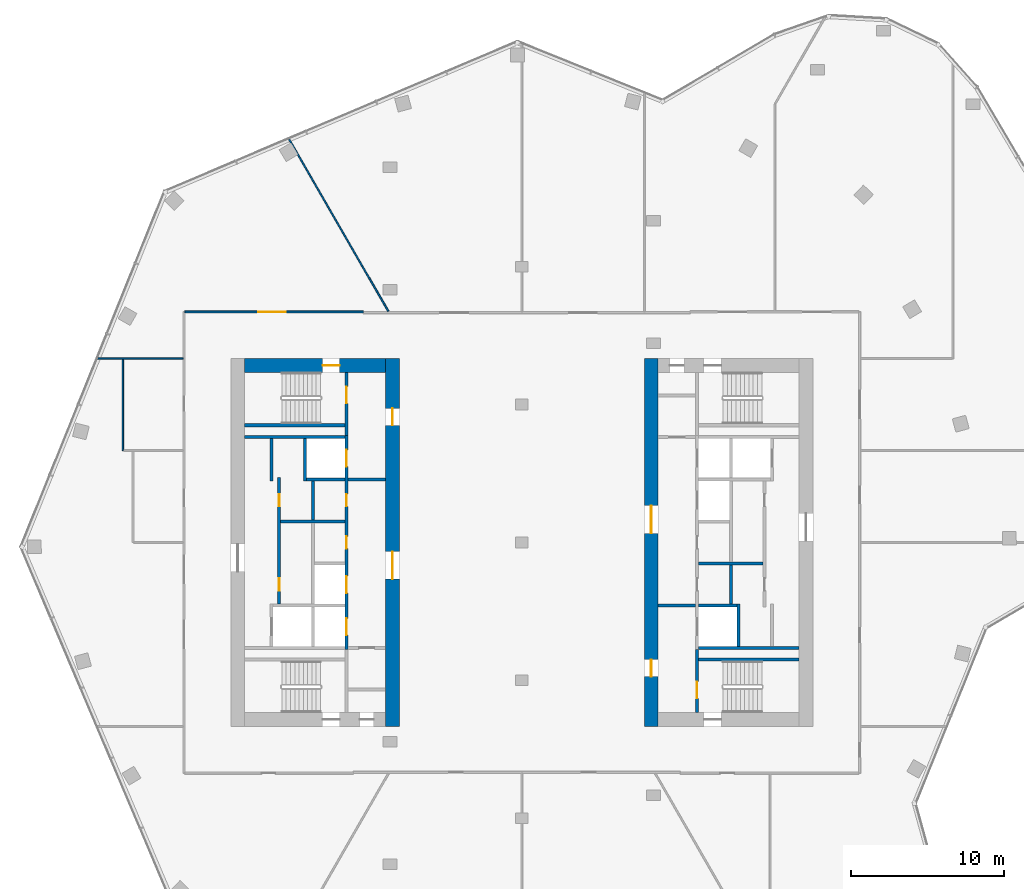
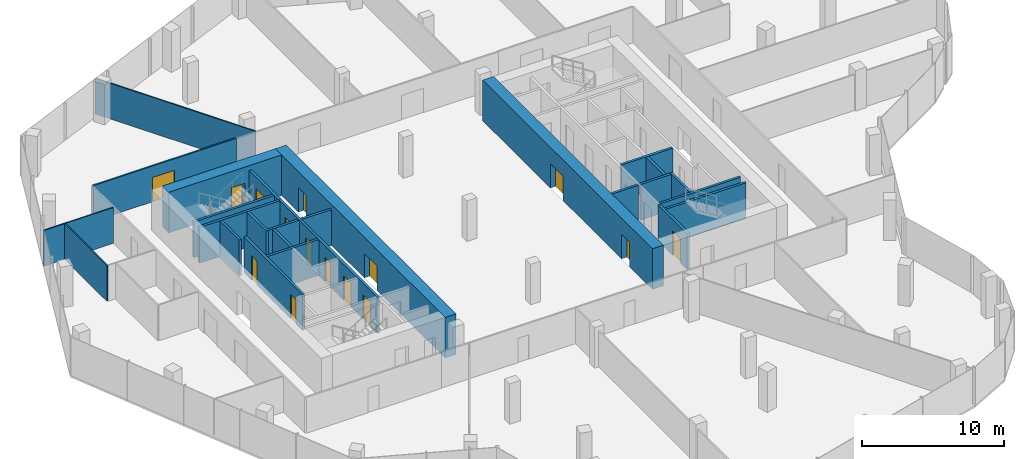
# One storey, part 13 of 16: 26 walls, 15 doors, 15 openings.
"""IFC4 building model written with IfcOpenShell, lengths in metres."""

import ifcopenshell
import ifcopenshell.guid

model = None  # the IFC model being written
_history = None  # IfcOwnerHistory: only IFC2X3 demands one
_inside = {}  # id of a spatial element -> (the spatial element, [elements in it])
_under = {}  # id of a project, library or spatial element -> (it, [spatial elements below it])
_declared = {}  # id of a project -> (the project, [libraries it declares])
_typed = {}  # id of a type object -> (the type object, [elements of that type])
_made_of = {}  # id of a material, layer set ... -> (it, [elements and type objects made of it])


def new_model(schema):
    """Start an empty IFC model of exactly this schema.

    Asked for "IFC4X3", IfcOpenShell would pick the latest addendum, in which some entities
    have other attributes; the version numbers below select the first issue.
    IFC2X3 requires an IfcOwnerHistory on every rooted entity: one is made here for all.
    """
    global model, _history
    if schema == "IFC4X3":
        model = ifcopenshell.file(schema_version=(4, 3, 0, 0))
    else:
        model = ifcopenshell.file(schema=schema)
    _inside.clear()
    _under.clear()
    _declared.clear()
    _typed.clear()
    _made_of.clear()
    _history = None
    if model.schema == "IFC2X3":
        org = make("IfcOrganization", Name="unknown")
        user = make(
            "IfcPersonAndOrganization",
            ThePerson=make("IfcPerson", FamilyName="unknown"),
            TheOrganization=org,
        )
        app = make(
            "IfcApplication",
            ApplicationDeveloper=org,
            Version="unknown",
            ApplicationFullName="unknown",
            ApplicationIdentifier="unknown",
        )
        _history = make(
            "IfcOwnerHistory",
            OwningUser=user,
            OwningApplication=app,
            ChangeAction="ADDED",
            CreationDate=0,
        )
    return model


def make(cls, **values):
    """One entity of the class cls with the attributes given. An attribute that is None is left unset."""
    return model.create_entity(
        cls, **{name: value for name, value in values.items() if value is not None}
    )


def rooted(cls, **values):
    """An entity with a GlobalId (a new one), such as an element, a storey or a relation."""
    return make(cls, GlobalId=ifcopenshell.guid.new(), OwnerHistory=_history, **values)


def si_unit(unit_type, name, prefix=None):
    """IfcSIUnit, for example si_unit("LENGTHUNIT", "METRE", prefix="MILLI")."""
    return make("IfcSIUnit", UnitType=unit_type, Prefix=prefix, Name=name)


def assignment(units):
    """IfcUnitAssignment: the units of a project."""
    return None if units is None else make("IfcUnitAssignment", Units=units)


def point(xyz):
    """IfcCartesianPoint."""
    return None if xyz is None else make("IfcCartesianPoint", Coordinates=xyz)


def direction(xyz):
    """IfcDirection."""
    return None if xyz is None else make("IfcDirection", DirectionRatios=xyz)


def frame(location, z_axis=None, x_axis=None):
    """IfcAxis2Placement3D, a coordinate frame: its origin and axes. An axis left out is left unset."""
    return make(
        "IfcAxis2Placement3D",
        Location=point(location),
        Axis=direction(z_axis),
        RefDirection=direction(x_axis),
    )


def frame_2d(location, x_axis=None):
    """IfcAxis2Placement2D, a coordinate frame in the plane: its origin and x axis."""
    return make(
        "IfcAxis2Placement2D", Location=point(location), RefDirection=direction(x_axis)
    )


def origin():
    """The frame at (0, 0, 0) with its axes left unset."""
    return frame((0.0, 0.0, 0.0))


def place(relative_to, where):
    """IfcLocalPlacement: puts the frame where relative to a parent placement (None: the world)."""
    return make(
        "IfcLocalPlacement", PlacementRelTo=relative_to, RelativePlacement=where
    )


def context(
    kind, dimensions, precision=None, world=None, true_north=None, identifier=None
):
    """IfcGeometricRepresentationContext, for example the 3D "Model" context."""
    return make(
        "IfcGeometricRepresentationContext",
        ContextIdentifier=identifier,
        ContextType=kind,
        CoordinateSpaceDimension=dimensions,
        Precision=precision,
        WorldCoordinateSystem=world,
        TrueNorth=true_north,
    )


def subcontext(parent, identifier, kind, view, scale=None):
    """IfcGeometricRepresentationSubContext, for example "Body" below "Model"."""
    return make(
        "IfcGeometricRepresentationSubContext",
        ContextIdentifier=identifier,
        ContextType=kind,
        ParentContext=parent,
        TargetScale=scale,
        TargetView=view,
    )


def project(units=None, contexts=None):
    """IfcProject with its units and contexts."""
    return rooted(
        "IfcProject",
        Name="project",
        RepresentationContexts=contexts,
        UnitsInContext=assignment(units),
    )


def spatial(cls, under=None, at=None, **own):
    """A site, building, storey or space (cls), placed at a placement, below another one or the project."""
    s = rooted(cls, ObjectPlacement=at, **own)
    if under is not None:
        _under.setdefault(under.id(), (under, []))[1].append(s)
    return s


def profile(cls, at=None, kind="AREA", **sizes):
    """A parametric profile (cls). Its sizes go by their IFC names, for example OverallWidth=200.0."""
    return make(cls, ProfileType=kind, Position=at, **sizes)


def rectangle(**sizes):
    """IfcRectangleProfileDef."""
    return profile("IfcRectangleProfileDef", **sizes)


def extrude(swept, where, along, depth):
    """IfcExtrudedAreaSolid: the profile swept, set in the frame where, extruded along a direction by depth."""
    return make(
        "IfcExtrudedAreaSolid",
        SweptArea=swept,
        Position=where,
        ExtrudedDirection=direction(along),
        Depth=depth,
    )


def shape(context_of_items, identifier, shape_type, items):
    """IfcShapeRepresentation: the items that make up one representation, for example the "Body"."""
    return make(
        "IfcShapeRepresentation",
        ContextOfItems=context_of_items,
        RepresentationIdentifier=identifier,
        RepresentationType=shape_type,
        Items=items,
    )


def material(Name=None, Category=None):
    """IfcMaterial."""
    return make("IfcMaterial", Name=Name, Category=Category)


def layer(
    of_material, thickness, ventilated=None, Name=None, Category=None, Priority=None
):
    """IfcMaterialLayer: one layer of a wall or slab, of a material (None: an air gap)."""
    return make(
        "IfcMaterialLayer",
        Material=of_material,
        LayerThickness=thickness,
        IsVentilated=ventilated,
        Name=Name,
        Category=Category,
        Priority=Priority,
    )


def layer_set(layers, Name=None):
    """IfcMaterialLayerSet."""
    return make("IfcMaterialLayerSet", MaterialLayers=layers, LayerSetName=Name)


def made_of(thing, what):
    """Note that an element or type object is made of a material, layer set ...; save() writes the relation."""
    if what is not None:
        _made_of.setdefault(what.id(), (what, []))[1].append(thing)
    return thing


def type_object(cls, material=None, **own):
    """A type object (cls), such as IfcWallType, which elements share."""
    return made_of(rooted(cls, **own), material)


def element(
    cls,
    number,
    at=None,
    inside=None,
    cuts=None,
    type_object=None,
    material=None,
    context=None,
    identifier="Body",
    shape_type=None,
    held_by="IfcProductDefinitionShape",
    body=None,
    shapes=None,
    **own,
):
    """One element of the class cls, such as IfcWall. Its Tag is "e" and its number.

    at: its placement. inside: the storey or other place that contains it. cuts: it is an
    opening in that element (IfcRelVoidsElement). A single representation is given by context,
    identifier, shape_type and body (its items); several are given by shapes. held_by: the class
    of the entity that holds the representations. save() writes the other relations.
    """
    e = rooted(cls, Tag="e%d" % number, ObjectPlacement=at, **own)
    if body is not None:
        shapes = [shape(context, identifier, shape_type, body)]
    if shapes is not None:
        e.Representation = make(held_by, Representations=shapes)
    if inside is not None:
        _inside.setdefault(inside.id(), (inside, []))[1].append(e)
    if cuts is not None:
        rooted(
            "IfcRelVoidsElement", RelatingBuildingElement=cuts, RelatedOpeningElement=e
        )
    if type_object is not None:
        _typed.setdefault(type_object.id(), (type_object, []))[1].append(e)
    return made_of(e, material)


def fill(opening, filler):
    """IfcRelFillsElement: the door or window that sits in an opening."""
    return rooted(
        "IfcRelFillsElement",
        RelatingOpeningElement=opening,
        RelatedBuildingElement=filler,
    )


def aggregate(whole, parts):
    """IfcRelAggregates: a whole, such as a stair, and the parts it consists of."""
    return rooted("IfcRelAggregates", RelatingObject=whole, RelatedObjects=parts)


def save(model, path):
    """Write the relations noted so far, then the file.

    IfcRelAggregates (storeys below a building ...), IfcRelContainedInSpatialStructure (elements
    in a storey), IfcRelDefinesByType, IfcRelAssociatesMaterial and IfcRelDeclares: one each for
    every whole, place, type object, material and project.
    """
    for whole, parts in _under.values():
        aggregate(whole, parts)
    for where, things in _inside.values():
        rooted(
            "IfcRelContainedInSpatialStructure",
            RelatedElements=things,
            RelatingStructure=where,
        )
    for kind, things in _typed.values():
        rooted("IfcRelDefinesByType", RelatedObjects=things, RelatingType=kind)
    for what, things in _made_of.values():
        rooted("IfcRelAssociatesMaterial", RelatedObjects=things, RelatingMaterial=what)
    for by, libraries in _declared.values():
        rooted("IfcRelDeclares", RelatingContext=by, RelatedDefinitions=libraries)
    model.write(path)


model = new_model("IFC4")

# Units and contexts
model_context = context("Model", 3, precision=1e-05, world=origin(), true_north=direction((0.0, 1.0)))
body_context = subcontext(model_context, "Body", "Model", "MODEL_VIEW")
ifc_project = project(units=[si_unit("LENGTHUNIT", "METRE"), si_unit("AREAUNIT", "SQUARE_METRE"), si_unit("VOLUMEUNIT", "CUBIC_METRE"), si_unit("PLANEANGLEUNIT", "RADIAN"), si_unit("MASSUNIT", "GRAM", prefix="KILO")], contexts=[model_context])

# Site, building, storey
site_placement = place(None, origin())
site = spatial("IfcSite", under=ifc_project, at=site_placement, CompositionType="ELEMENT")
building_placement = place(site_placement, origin())
building = spatial("IfcBuilding", under=site, at=building_placement, Name="Orlundy Tower", CompositionType="ELEMENT")
storey_placement = place(building_placement, frame((0.0, 0.0, 285.89990234375)))
storey = spatial("IfcBuildingStorey", under=building, at=storey_placement, Name="L76", CompositionType="ELEMENT", Elevation=285.89990234375)

# Wall, opening, door
ifc_material_1 = material(Name="Concrete C50/60", Category="concrete")
ifc_layer_1 = layer(ifc_material_1, 0.89990234375)
ifc_layer_set_1 = layer_set([ifc_layer_1], Name="CORE WALL 900 C50/60")
wall_type_1 = type_object("IfcWallType", Name="CORE WALL 900 C50/60", PredefinedType="SHEAR", material=ifc_layer_set_1)
wall_1_placement = place(storey_placement, frame((-18.10009765625, 11.550048828125, 0.0), z_axis=(0.0, 0.0, 1.0), x_axis=(1.0, 0.0, 0.0)))
wall_1 = element("IfcWall", 1, at=wall_1_placement, inside=storey, type_object=wall_type_1, Name="Core wall W-N L76", PredefinedType="SHEAR", context=body_context, shape_type="SweptSolid", body=[
    extrude(rectangle(XDim=9.2001953125, YDim=0.89990234375, at=frame_2d((4.60009765625, 0.0))), origin(), (0.0, 0.0, 1.0), 3.5),
])
opening_1_placement = place(wall_1_placement, frame((5.10009765625, 0.0, 0.0)))
opening_1 = element("IfcOpeningElement", 2, at=opening_1_placement, cuts=wall_1, Name="Opening 58012", PredefinedType="OPENING", context=body_context, shape_type="SweptSolid", body=[
    extrude(rectangle(XDim=1.10009765625, YDim=2.10009765625, at=frame_2d((0.550048828125, 1.050048828125))), frame((0.0, 0.4599609375, 0.0), z_axis=(0.0, -1.0, 0.0), x_axis=(1.0, 0.0, 0.0)), (0.0, 0.0, 1.0), 0.919921875),
])
ifc_material_2 = material(Name="Steel door set", Category="steel")
door_type_1 = type_object("IfcDoorType", Name="Stair Door 1100x2100", OperationType="SINGLE_SWING_LEFT", PredefinedType="DOOR", material=ifc_material_2)
door_1_placement = place(opening_1_placement, origin())
door_1 = element("IfcDoor", 3, at=door_1_placement, inside=storey, type_object=door_type_1, Name="Stair door 58012", OperationType="SINGLE_SWING_RIGHT", OverallHeight=2.10009765625, OverallWidth=1.10009765625, PredefinedType="DOOR", context=body_context, shape_type="SweptSolid", body=[
    extrude(rectangle(XDim=1.10009765625, YDim=2.10009765625, at=frame_2d((0.550048828125, 1.050048828125))), frame((0.0, 0.02490234375, 0.0), z_axis=(0.0, -1.0, 0.0), x_axis=(1.0, 0.0, 0.0)), (0.0, 0.0, 1.0), 0.050048828125),
])
fill(opening_1, door_1)

# Wall, openings, doors
wall_2_placement = place(storey_placement, frame((-8.449951171875, -12.0, 0.0), z_axis=(0.0, 0.0, 1.0), x_axis=(0.0, 1.0, 0.0)))
wall_2 = element("IfcWall", 4, at=wall_2_placement, inside=storey, type_object=wall_type_1, Name="Core wall W-E L76", PredefinedType="SHEAR", context=body_context, shape_type="SweptSolid", body=[
    extrude(rectangle(XDim=24.0, YDim=0.89990234375, at=frame_2d((12.0, 0.0))), origin(), (0.0, 0.0, 1.0), 3.5),
])
opening_2_placement = place(wall_2_placement, frame((9.60009765625, 0.0, 0.0)))
opening_2 = element("IfcOpeningElement", 5, at=opening_2_placement, cuts=wall_2, Name="Opening 58009", PredefinedType="OPENING", context=body_context, shape_type="SweptSolid", body=[
    extrude(rectangle(XDim=1.800048828125, YDim=2.10009765625, at=frame_2d((0.89990234375, 1.050048828125))), frame((0.0, 0.4599609375, 0.0), z_axis=(0.0, -1.0, 0.0), x_axis=(1.0, 0.0, 0.0)), (0.0, 0.0, 1.0), 0.919921875),
])
opening_3_placement = place(wall_2_placement, frame((19.64990234375, 0.0, 0.0)))
opening_3 = element("IfcOpeningElement", 6, at=opening_3_placement, cuts=wall_2, Name="Opening 58011", PredefinedType="OPENING", context=body_context, shape_type="SweptSolid", body=[
    extrude(rectangle(XDim=1.10009765625, YDim=2.10009765625, at=frame_2d((0.550048828125, 1.050048828125))), frame((0.0, 0.4599609375, 0.0), z_axis=(0.0, -1.0, 0.0), x_axis=(1.0, 0.0, 0.0)), (0.0, 0.0, 1.0), 0.919921875),
])
ifc_material_3 = material(Name="Steel door set", Category="steel")
door_type_2 = type_object("IfcDoorType", Name="Fire-fighting Lobby Door 1100x2100", OperationType="SINGLE_SWING_LEFT", PredefinedType="DOOR", material=ifc_material_3)
door_2_placement = place(opening_3_placement, origin())
door_2 = element("IfcDoor", 7, at=door_2_placement, inside=storey, type_object=door_type_2, Name="Fire-fighting lobby door 58011", OperationType="SINGLE_SWING_RIGHT", OverallHeight=2.10009765625, OverallWidth=1.10009765625, PredefinedType="DOOR", context=body_context, shape_type="SweptSolid", body=[
    extrude(rectangle(XDim=1.10009765625, YDim=2.10009765625, at=frame_2d((0.550048828125, 1.050048828125))), frame((0.0, 0.02490234375, 0.0), z_axis=(0.0, -1.0, 0.0), x_axis=(1.0, 0.0, 0.0)), (0.0, 0.0, 1.0), 0.050048828125),
])
fill(opening_3, door_2)
ifc_material_4 = material(Name="Timber door set", Category="wood")
door_type_3 = type_object("IfcDoorType", Name="Lobby Door 1800x2100", OperationType="DOUBLE_DOOR_DOUBLE_SWING", PredefinedType="DOOR", material=ifc_material_4)
door_3_placement = place(opening_2_placement, origin())
door_3 = element("IfcDoor", 8, at=door_3_placement, inside=storey, type_object=door_type_3, Name="Lift lobby door 58009", OperationType="SINGLE_SWING_LEFT", OverallHeight=2.10009765625, OverallWidth=1.800048828125, PredefinedType="DOOR", context=body_context, shape_type="SweptSolid", body=[
    extrude(rectangle(XDim=1.800048828125, YDim=2.10009765625, at=frame_2d((0.89990234375, 1.050048828125))), frame((0.0, 0.02490234375, 0.0), z_axis=(0.0, -1.0, 0.0), x_axis=(1.0, 0.0, 0.0)), (0.0, 0.0, 1.0), 0.050048828125),
])
fill(opening_2, door_3)

wall_3_placement = place(storey_placement, frame((8.449951171875, -12.0, 0.0), z_axis=(0.0, 0.0, 1.0), x_axis=(0.0, 1.0, 0.0)))
wall_3 = element("IfcWall", 9, at=wall_3_placement, inside=storey, type_object=wall_type_1, Name="Core wall E-W L76", PredefinedType="SHEAR", context=body_context, shape_type="SweptSolid", body=[
    extrude(rectangle(XDim=24.0, YDim=0.89990234375, at=frame_2d((12.0, 0.0))), origin(), (0.0, 0.0, 1.0), 3.5),
])
opening_4_placement = place(wall_3_placement, frame((12.60009765625, 0.0, 0.0)))
opening_4 = element("IfcOpeningElement", 10, at=opening_4_placement, cuts=wall_3, Name="Opening 58058", PredefinedType="OPENING", context=body_context, shape_type="SweptSolid", body=[
    extrude(rectangle(XDim=1.800048828125, YDim=2.10009765625, at=frame_2d((0.89990234375, 1.050048828125))), frame((0.0, 0.4599609375, 0.0), z_axis=(0.0, -1.0, 0.0), x_axis=(1.0, 0.0, 0.0)), (0.0, 0.0, 1.0), 0.919921875),
])
opening_5_placement = place(wall_3_placement, frame((3.25, 0.0, 0.0)))
opening_5 = element("IfcOpeningElement", 11, at=opening_5_placement, cuts=wall_3, Name="Opening 58060", PredefinedType="OPENING", context=body_context, shape_type="SweptSolid", body=[
    extrude(rectangle(XDim=1.10009765625, YDim=2.10009765625, at=frame_2d((0.550048828125, 1.050048828125))), frame((0.0, 0.4599609375, 0.0), z_axis=(0.0, -1.0, 0.0), x_axis=(1.0, 0.0, 0.0)), (0.0, 0.0, 1.0), 0.919921875),
])
door_4_placement = place(opening_5_placement, origin())
door_4 = element("IfcDoor", 12, at=door_4_placement, inside=storey, type_object=door_type_2, Name="Fire-fighting lobby door 58060", OperationType="SINGLE_SWING_LEFT", OverallHeight=2.10009765625, OverallWidth=1.10009765625, PredefinedType="DOOR", context=body_context, shape_type="SweptSolid", body=[
    extrude(rectangle(XDim=1.10009765625, YDim=2.10009765625, at=frame_2d((0.550048828125, 1.050048828125))), frame((0.0, 0.02490234375, 0.0), z_axis=(0.0, -1.0, 0.0), x_axis=(1.0, 0.0, 0.0)), (0.0, 0.0, 1.0), 0.050048828125),
])
fill(opening_5, door_4)
door_5_placement = place(opening_4_placement, origin())
door_5 = element("IfcDoor", 13, at=door_5_placement, inside=storey, type_object=door_type_3, Name="Lift lobby door 58058", OperationType="SINGLE_SWING_RIGHT", OverallHeight=2.10009765625, OverallWidth=1.800048828125, PredefinedType="DOOR", context=body_context, shape_type="SweptSolid", body=[
    extrude(rectangle(XDim=1.800048828125, YDim=2.10009765625, at=frame_2d((0.89990234375, 1.050048828125))), frame((0.0, 0.02490234375, 0.0), z_axis=(0.0, -1.0, 0.0), x_axis=(1.0, 0.0, 0.0)), (0.0, 0.0, 1.0), 0.050048828125),
])
fill(opening_4, door_5)

# Walls
ifc_material_5 = material(Name="Gypsum board partition")
ifc_layer_2 = layer(ifc_material_5, 0.10009765625)
ifc_layer_set_2 = layer_set([ifc_layer_2], Name="Floor partition 100")
wall_type_2 = type_object("IfcWallType", Name="Floor partition 100", PredefinedType="PARTITIONING", material=ifc_layer_set_2)
wall_4_placement = place(storey_placement, frame((-15.239013671875, 26.39501953125, 0.0), z_axis=(0.0, 0.0, 1.0), x_axis=(0.499938284347, -0.866061032401, 0.0)))
element("IfcWall", 14, at=wall_4_placement, inside=storey, type_object=wall_type_2, Name="wall-int-L76-001", PredefinedType="PARTITIONING", context=body_context, shape_type="SweptSolid", body=[
    extrude(rectangle(XDim=13.055908203125, YDim=0.10009765625, at=frame_2d((6.52783203125, 0.0))), origin(), (0.0, 0.0, 1.0), 3.080078125),
])
wall_5_placement = place(storey_placement, frame((-27.778076171875, 12.0, 0.0), z_axis=(0.0, 0.0, 1.0), x_axis=(1.0, 0.0, 0.0)))
element("IfcWall", 15, at=wall_5_placement, inside=storey, type_object=wall_type_2, Name="wall-int-L76-012", PredefinedType="PARTITIONING", context=body_context, shape_type="SweptSolid", body=[
    extrude(rectangle(XDim=5.6650390625, YDim=0.10009765625, at=frame_2d((2.83251953125, 0.0))), origin(), (0.0, 0.0, 1.0), 3.080078125),
])
wall_6_placement = place(storey_placement, frame((-26.048095703125, 6.0009765625, 0.0), z_axis=(0.0, 0.0, 1.0), x_axis=(0.0, 1.0, 0.0)))
element("IfcWall", 16, at=wall_6_placement, inside=storey, type_object=wall_type_2, Name="wall-int-L76-028", PredefinedType="PARTITIONING", context=body_context, shape_type="SweptSolid", body=[
    extrude(rectangle(XDim=5.948974609375, YDim=0.10009765625, at=frame_2d((2.974609375, 0.0))), origin(), (0.0, 0.0, 1.0), 3.080078125),
])

# Wall, opening, door
ifc_material_6 = material(Name="Gypsum board partition, double layer")
ifc_layer_3 = layer(ifc_material_6, 0.125)
ifc_layer_set_3 = layer_set([ifc_layer_3], Name="Floor partition 125")
wall_type_3 = type_object("IfcWallType", Name="Floor partition 125", PredefinedType="PARTITIONING", material=ifc_layer_set_3)
wall_7_placement = place(storey_placement, frame((-21.988037109375, 15.051025390625, 0.0), z_axis=(0.0, 0.0, 1.0), x_axis=(1.0, 0.0, 0.0)))
wall_7 = element("IfcWall", 17, at=wall_7_placement, inside=storey, type_object=wall_type_3, Name="wall-int-L76-015", PredefinedType="PARTITIONING", context=body_context, shape_type="SweptSolid", body=[
    extrude(rectangle(XDim=11.637939453125, YDim=0.125, at=frame_2d((5.81884765625, 0.0))), origin(), (0.0, 0.0, 1.0), 3.080078125),
])
opening_6_placement = place(wall_7_placement, frame((4.78759765625, 0.0, 0.0)))
opening_6 = element("IfcOpeningElement", 18, at=opening_6_placement, cuts=wall_7, Name="Opening 58114", PredefinedType="OPENING", context=body_context, shape_type="SweptSolid", body=[
    extrude(rectangle(XDim=1.800048828125, YDim=2.10009765625, at=frame_2d((0.89990234375, 1.050048828125))), frame((0.0, 0.072509765625, 0.0), z_axis=(0.0, -1.0, 0.0), x_axis=(1.0, 0.0, 0.0)), (0.0, 0.0, 1.0), 0.14501953125),
])
ifc_material_7 = material(Name="Timber door leaf", Category="wood")
door_type_4 = type_object("IfcDoorType", Name="Floor door double 1800 FD30S", OperationType="NOTDEFINED", PredefinedType="DOOR", material=ifc_material_7)
door_6_placement = place(opening_6_placement, origin())
door_6 = element("IfcDoor", 19, at=door_6_placement, inside=storey, type_object=door_type_4, Name="Door 58114", OperationType="DOUBLE_DOOR_SINGLE_SWING", OverallHeight=2.10009765625, OverallWidth=1.800048828125, PredefinedType="DOOR", context=body_context, shape_type="SweptSolid", body=[
    extrude(rectangle(XDim=1.800048828125, YDim=2.10009765625, at=frame_2d((0.89990234375, 1.050048828125))), frame((0.0, 0.02490234375, 0.0), z_axis=(0.0, -1.0, 0.0), x_axis=(1.0, 0.0, 0.0)), (0.0, 0.0, 1.0), 0.050048828125),
])
fill(opening_6, door_6)

ifc_material_8 = material(Name="Concrete C40/50", Category="concrete")
ifc_layer_4 = layer(ifc_material_8, 0.199951171875)
ifc_layer_set_4 = layer_set([ifc_layer_4], Name="Load-bearing Shaft Wall 200")
wall_type_4 = type_object("IfcWallType", Name="Load-bearing Shaft Wall 200", PredefinedType="SOLIDWALL", material=ifc_layer_set_4)
wall_8_placement = place(storey_placement, frame((-11.43994140625, 6.97509765625, 0.0), z_axis=(0.0, 0.0, 1.0), x_axis=(0.0, 1.0, 0.0)))
wall_8 = element("IfcWall", 20, at=wall_8_placement, inside=storey, type_object=wall_type_4, Name="Shaft wall W58-stair-end-n", PredefinedType="SOLIDWALL", context=body_context, shape_type="SweptSolid", body=[
    extrude(rectangle(XDim=4.125, YDim=0.199951171875, at=frame_2d((2.0625, 0.0))), origin(), (0.0, 0.0, 1.0), 3.090087890625),
])
opening_7_placement = place(wall_8_placement, frame((2.10009765625, 0.0, 0.0)))
opening_7 = element("IfcOpeningElement", 21, at=opening_7_placement, cuts=wall_8, Name="Opening 58014", PredefinedType="OPENING", context=body_context, shape_type="SweptSolid", body=[
    extrude(rectangle(XDim=1.10009765625, YDim=2.10009765625, at=frame_2d((0.550048828125, 1.050048828125))), frame((0.0, 0.110107421875, 0.0), z_axis=(0.0, -1.0, 0.0), x_axis=(1.0, 0.0, 0.0)), (0.0, 0.0, 1.0), 0.22021484375),
])
door_7_placement = place(opening_7_placement, origin())
door_7 = element("IfcDoor", 22, at=door_7_placement, inside=storey, type_object=door_type_2, Name="Fire-fighting lobby to stair door 58014", OperationType="SINGLE_SWING_RIGHT", OverallHeight=2.10009765625, OverallWidth=1.10009765625, PredefinedType="DOOR", context=body_context, shape_type="SweptSolid", body=[
    extrude(rectangle(XDim=1.10009765625, YDim=2.10009765625, at=frame_2d((0.550048828125, 1.050048828125))), frame((0.0, 0.02490234375, 0.0), z_axis=(0.0, -1.0, 0.0), x_axis=(1.0, 0.0, 0.0)), (0.0, 0.0, 1.0), 0.050048828125),
])
fill(opening_7, door_7)

# Wall
wall_9_placement = place(storey_placement, frame((-11.5400390625, 7.64990234375, 0.0), z_axis=(0.0, 0.0, 1.0), x_axis=(-1.0, 0.0, 0.0)))
element("IfcWall", 23, at=wall_9_placement, inside=storey, type_object=wall_type_4, Name="Shaft wall W58-stair-side-n", PredefinedType="SOLIDWALL", context=body_context, shape_type="SweptSolid", body=[
    extrude(rectangle(XDim=6.56005859375, YDim=0.199951171875, at=frame_2d((3.280029296875, 0.0))), origin(), (0.0, 0.0, 1.0), 3.090087890625),
])

# Wall, opening, door
wall_10_placement = place(storey_placement, frame((11.43994140625, -6.97509765625, 0.0), z_axis=(0.0, 0.0, 1.0), x_axis=(0.0, -1.0, 0.0)))
wall_10 = element("IfcWall", 24, at=wall_10_placement, inside=storey, type_object=wall_type_4, Name="Shaft wall E58-stair-end-n", PredefinedType="SOLIDWALL", context=body_context, shape_type="SweptSolid", body=[
    extrude(rectangle(XDim=4.125, YDim=0.199951171875, at=frame_2d((2.0625, 0.0))), origin(), (0.0, 0.0, 1.0), 3.090087890625),
])
opening_8_placement = place(wall_10_placement, frame((2.10009765625, 0.0, 0.0)))
opening_8 = element("IfcOpeningElement", 25, at=opening_8_placement, cuts=wall_10, Name="Opening 58063", PredefinedType="OPENING", context=body_context, shape_type="SweptSolid", body=[
    extrude(rectangle(XDim=1.10009765625, YDim=2.10009765625, at=frame_2d((0.550048828125, 1.050048828125))), frame((0.0, 0.110107421875, 0.0), z_axis=(0.0, -1.0, 0.0), x_axis=(1.0, 0.0, 0.0)), (0.0, 0.0, 1.0), 0.22021484375),
])
door_8_placement = place(opening_8_placement, origin())
door_8 = element("IfcDoor", 26, at=door_8_placement, inside=storey, type_object=door_type_2, Name="Fire-fighting lobby to stair door 58063", OperationType="SINGLE_SWING_RIGHT", OverallHeight=2.10009765625, OverallWidth=1.10009765625, PredefinedType="DOOR", context=body_context, shape_type="SweptSolid", body=[
    extrude(rectangle(XDim=1.10009765625, YDim=2.10009765625, at=frame_2d((0.550048828125, 1.050048828125))), frame((0.0, 0.02490234375, 0.0), z_axis=(0.0, -1.0, 0.0), x_axis=(1.0, 0.0, 0.0)), (0.0, 0.0, 1.0), 0.050048828125),
])
fill(opening_8, door_8)

# Walls
wall_11_placement = place(storey_placement, frame((11.5400390625, -7.64990234375, 0.0), z_axis=(0.0, 0.0, 1.0), x_axis=(1.0, 0.0, 0.0)))
element("IfcWall", 27, at=wall_11_placement, inside=storey, type_object=wall_type_4, Name="Shaft wall E58-stair-side-n", PredefinedType="SOLIDWALL", context=body_context, shape_type="SweptSolid", body=[
    extrude(rectangle(XDim=6.56005859375, YDim=0.199951171875, at=frame_2d((3.280029296875, 0.0))), origin(), (0.0, 0.0, 1.0), 3.090087890625),
])
ifc_material_9 = material(Name="Gypsum board partition on steel studs", Category="steel")
ifc_layer_5 = layer(ifc_material_9, 0.199951171875)
ifc_layer_set_5 = layer_set([ifc_layer_5], Name="Partition 200")
wall_type_5 = type_object("IfcWallType", Name="Partition 200", PredefinedType="PARTITIONING", material=ifc_layer_set_5)
for number, where, z_axis, x_axis, name in (
    (28, (-8.89990234375, 4.125, 0.0), (0.0, 0.0, 1.0), (-1.0, 0.0, 0.0), "Partition wall W58-lobby-n"),
    (29, (8.89990234375, -4.125, 0.0), (0.0, 0.0, 1.0), (1.0, 0.0, 0.0), "Partition wall E58-lobby-n"),
):
    element("IfcWall", number, at=place(storey_placement, frame(where, z_axis=z_axis, x_axis=x_axis)), inside=storey, type_object=wall_type_5, Name=name, PredefinedType="PARTITIONING", context=body_context, shape_type="SweptSolid", body=[
        extrude(rectangle(XDim=2.440185546875, YDim=0.199951171875, at=frame_2d((1.22021484375, 0.0))), origin(), (0.0, 0.0, 1.0), 3.090087890625),
    ])
ifc_material_10 = material(Name="Fire-rated blockwork shaft wall", Category="masonry")
ifc_layer_6 = layer(ifc_material_10, 0.199951171875)
ifc_layer_set_6 = layer_set([ifc_layer_6], Name="Shaft Wall 200")
wall_type_6 = type_object("IfcWallType", Name="Shaft Wall 200", PredefinedType="SOLIDWALL", material=ifc_layer_set_6)
wall_12_placement = place(storey_placement, frame((-11.5400390625, 6.875, 0.0), z_axis=(0.0, 0.0, 1.0), x_axis=(-1.0, 0.0, 0.0)))
element("IfcWall", 30, at=wall_12_placement, inside=storey, type_object=wall_type_6, Name="Shaft wall W58-zone-n", PredefinedType="SOLIDWALL", context=body_context, shape_type="SweptSolid", body=[
    extrude(rectangle(XDim=6.56005859375, YDim=0.199951171875, at=frame_2d((3.280029296875, 0.0))), origin(), (0.0, 0.0, 1.0), 3.090087890625),
])
wall_13_placement = place(storey_placement, frame((-11.5400390625, 1.375, 0.0), z_axis=(0.0, 0.0, 1.0), x_axis=(-1.0, 0.0, 0.0)))
element("IfcWall", 31, at=wall_13_placement, inside=storey, type_object=wall_type_6, Name="Shaft wall W58-cross+1.375", PredefinedType="SOLIDWALL", context=body_context, shape_type="SweptSolid", body=[
    extrude(rectangle(XDim=4.199951171875, YDim=0.199951171875, at=frame_2d((2.10009765625, 0.0))), origin(), (0.0, 0.0, 1.0), 3.090087890625),
])
wall_14_placement = place(storey_placement, frame((-11.5400390625, 4.125, 0.0), z_axis=(0.0, 0.0, 1.0), x_axis=(-1.0, 0.0, 0.0)))
element("IfcWall", 32, at=wall_14_placement, inside=storey, type_object=wall_type_6, Name="Shaft wall W58-cross+4.125", PredefinedType="SOLIDWALL", context=body_context, shape_type="SweptSolid", body=[
    extrude(rectangle(XDim=2.5, YDim=0.199951171875, at=frame_2d((1.25, 0.0))), origin(), (0.0, 0.0, 1.0), 3.090087890625),
])

# Wall, openings, doors
wall_15_placement = place(storey_placement, frame((-11.43994140625, -6.97509765625, 0.0), z_axis=(0.0, 0.0, 1.0), x_axis=(0.0, 1.0, 0.0)))
wall_15 = element("IfcWall", 33, at=wall_15_placement, inside=storey, type_object=wall_type_6, Name="Shaft wall W58-front-h", PredefinedType="SOLIDWALL", context=body_context, shape_type="SweptSolid", body=[
    extrude(rectangle(XDim=13.9501953125, YDim=0.199951171875, at=frame_2d((6.97509765625, 0.0))), origin(), (0.0, 0.0, 1.0), 3.090087890625),
])
opening_9_placement = place(wall_15_placement, frame((0.925048828125, 0.0, 0.0)))
opening_9 = element("IfcOpeningElement", 34, at=opening_9_placement, cuts=wall_15, Name="Opening 58001", PredefinedType="OPENING", context=body_context, shape_type="SweptSolid", body=[
    extrude(rectangle(XDim=1.10009765625, YDim=2.10009765625, at=frame_2d((0.550048828125, 1.050048828125))), frame((0.0, 0.110107421875, 0.0), z_axis=(0.0, -1.0, 0.0), x_axis=(1.0, 0.0, 0.0)), (0.0, 0.0, 1.0), 0.22021484375),
])
opening_10_placement = place(wall_15_placement, frame((3.675048828125, 0.0, 0.0)))
opening_10 = element("IfcOpeningElement", 35, at=opening_10_placement, cuts=wall_15, Name="Opening 58003", PredefinedType="OPENING", context=body_context, shape_type="SweptSolid", body=[
    extrude(rectangle(XDim=1.10009765625, YDim=2.10009765625, at=frame_2d((0.550048828125, 1.050048828125))), frame((0.0, 0.110107421875, 0.0), z_axis=(0.0, -1.0, 0.0), x_axis=(1.0, 0.0, 0.0)), (0.0, 0.0, 1.0), 0.22021484375),
])
opening_11_placement = place(wall_15_placement, frame((11.925048828125, 0.0, 0.0)))
opening_11 = element("IfcOpeningElement", 36, at=opening_11_placement, cuts=wall_15, Name="Opening 58004", PredefinedType="OPENING", context=body_context, shape_type="SweptSolid", body=[
    extrude(rectangle(XDim=1.10009765625, YDim=2.10009765625, at=frame_2d((0.550048828125, 1.050048828125))), frame((0.0, 0.110107421875, 0.0), z_axis=(0.0, -1.0, 0.0), x_axis=(1.0, 0.0, 0.0)), (0.0, 0.0, 1.0), 0.22021484375),
])
opening_12_placement = place(wall_15_placement, frame((6.574951171875, 0.0, 0.0)))
opening_12 = element("IfcOpeningElement", 37, at=opening_12_placement, cuts=wall_15, Name="Opening 58006", PredefinedType="OPENING", context=body_context, shape_type="SweptSolid", body=[
    extrude(rectangle(XDim=0.800048828125, YDim=2.10009765625, at=frame_2d((0.39990234375, 1.050048828125))), frame((0.0, 0.110107421875, 0.0), z_axis=(0.0, -1.0, 0.0), x_axis=(1.0, 0.0, 0.0)), (0.0, 0.0, 1.0), 0.22021484375),
])
opening_13_placement = place(wall_15_placement, frame((9.324951171875, 0.0, 0.0)))
opening_13 = element("IfcOpeningElement", 38, at=opening_13_placement, cuts=wall_15, Name="Opening 58007", PredefinedType="OPENING", context=body_context, shape_type="SweptSolid", body=[
    extrude(rectangle(XDim=0.800048828125, YDim=2.10009765625, at=frame_2d((0.39990234375, 1.050048828125))), frame((0.0, 0.110107421875, 0.0), z_axis=(0.0, -1.0, 0.0), x_axis=(1.0, 0.0, 0.0)), (0.0, 0.0, 1.0), 0.22021484375),
])
ifc_material_11 = material(Name="Steel door set", Category="steel")
door_type_5 = type_object("IfcDoorType", Name="Landing Door 1100x2100", OperationType="DOUBLE_DOOR_SLIDING", PredefinedType="DOOR", material=ifc_material_11)
door_9_placement = place(opening_9_placement, origin())
door_9 = element("IfcDoor", 39, at=door_9_placement, inside=storey, type_object=door_type_5, Name="Lift landing door LP-22 58001", OperationType="DOUBLE_DOOR_SLIDING", OverallHeight=2.10009765625, OverallWidth=1.10009765625, PredefinedType="DOOR", context=body_context, shape_type="SweptSolid", body=[
    extrude(rectangle(XDim=1.10009765625, YDim=2.10009765625, at=frame_2d((0.550048828125, 1.050048828125))), frame((0.0, 0.02490234375, 0.0), z_axis=(0.0, -1.0, 0.0), x_axis=(1.0, 0.0, 0.0)), (0.0, 0.0, 1.0), 0.050048828125),
])
fill(opening_9, door_9)
door_10_placement = place(opening_10_placement, origin())
door_10 = element("IfcDoor", 40, at=door_10_placement, inside=storey, type_object=door_type_5, Name="Lift landing door LP-21 58003", OperationType="DOUBLE_DOOR_SLIDING", OverallHeight=2.10009765625, OverallWidth=1.10009765625, PredefinedType="DOOR", context=body_context, shape_type="SweptSolid", body=[
    extrude(rectangle(XDim=1.10009765625, YDim=2.10009765625, at=frame_2d((0.550048828125, 1.050048828125))), frame((0.0, 0.02490234375, 0.0), z_axis=(0.0, -1.0, 0.0), x_axis=(1.0, 0.0, 0.0)), (0.0, 0.0, 1.0), 0.050048828125),
])
fill(opening_10, door_10)
door_11_placement = place(opening_11_placement, origin())
door_11 = element("IfcDoor", 41, at=door_11_placement, inside=storey, type_object=door_type_5, Name="Lift landing door FL1 58004", OperationType="DOUBLE_DOOR_SLIDING", OverallHeight=2.10009765625, OverallWidth=1.10009765625, PredefinedType="DOOR", context=body_context, shape_type="SweptSolid", body=[
    extrude(rectangle(XDim=1.10009765625, YDim=2.10009765625, at=frame_2d((0.550048828125, 1.050048828125))), frame((0.0, 0.02490234375, 0.0), z_axis=(0.0, -1.0, 0.0), x_axis=(1.0, 0.0, 0.0)), (0.0, 0.0, 1.0), 0.050048828125),
])
fill(opening_11, door_11)
ifc_material_12 = material(Name="Timber door set", Category="wood")
door_type_6 = type_object("IfcDoorType", Name="Riser Door 800x2100", OperationType="SINGLE_SWING_LEFT", PredefinedType="DOOR", material=ifc_material_12)
door_12_placement = place(opening_12_placement, origin())
door_12 = element("IfcDoor", 42, at=door_12_placement, inside=storey, type_object=door_type_6, Name="Coat Store door 58006", OperationType="SINGLE_SWING_LEFT", OverallHeight=2.10009765625, OverallWidth=0.800048828125, PredefinedType="DOOR", context=body_context, shape_type="SweptSolid", body=[
    extrude(rectangle(XDim=0.800048828125, YDim=2.10009765625, at=frame_2d((0.39990234375, 1.050048828125))), frame((0.0, 0.02490234375, 0.0), z_axis=(0.0, -1.0, 0.0), x_axis=(1.0, 0.0, 0.0)), (0.0, 0.0, 1.0), 0.050048828125),
])
fill(opening_12, door_12)
door_13_placement = place(opening_13_placement, origin())
door_13 = element("IfcDoor", 43, at=door_13_placement, inside=storey, type_object=door_type_6, Name="Parcel Store door 58007", OperationType="SINGLE_SWING_LEFT", OverallHeight=2.10009765625, OverallWidth=0.800048828125, PredefinedType="DOOR", context=body_context, shape_type="SweptSolid", body=[
    extrude(rectangle(XDim=0.800048828125, YDim=2.10009765625, at=frame_2d((0.39990234375, 1.050048828125))), frame((0.0, 0.02490234375, 0.0), z_axis=(0.0, -1.0, 0.0), x_axis=(1.0, 0.0, 0.0)), (0.0, 0.0, 1.0), 0.050048828125),
])
fill(opening_13, door_13)

# Walls
wall_16_placement = place(storey_placement, frame((-13.639892578125, 1.47509765625, 0.0), z_axis=(0.0, 0.0, 1.0), x_axis=(0.0, 1.0, 0.0)))
element("IfcWall", 44, at=wall_16_placement, inside=storey, type_object=wall_type_6, Name="Shaft wall W58-mid-a.2", PredefinedType="SOLIDWALL", context=body_context, shape_type="SweptSolid", body=[
    extrude(rectangle(XDim=2.5498046875, YDim=0.199951171875, at=frame_2d((1.27490234375, 0.0))), origin(), (0.0, 0.0, 1.0), 3.090087890625),
])
wall_17_placement = place(storey_placement, frame((-14.139892578125, 4.02490234375, 0.0), z_axis=(0.0, 0.0, 1.0), x_axis=(0.0, 1.0, 0.0)))
element("IfcWall", 45, at=wall_17_placement, inside=storey, type_object=wall_type_6, Name="Shaft wall W58-mid-b", PredefinedType="SOLIDWALL", context=body_context, shape_type="SweptSolid", body=[
    extrude(rectangle(XDim=2.75, YDim=0.199951171875, at=frame_2d((1.375, 0.0))), origin(), (0.0, 0.0, 1.0), 3.090087890625),
])

# Wall, openings, doors
wall_18_placement = place(storey_placement, frame((-15.840087890625, -4.02490234375, 0.0), z_axis=(0.0, 0.0, 1.0), x_axis=(0.0, 1.0, 0.0)))
wall_18 = element("IfcWall", 46, at=wall_18_placement, inside=storey, type_object=wall_type_6, Name="Shaft wall W58-front-o-b", PredefinedType="SOLIDWALL", context=body_context, shape_type="SweptSolid", body=[
    extrude(rectangle(XDim=8.25, YDim=0.199951171875, at=frame_2d((4.125, 0.0))), origin(), (0.0, 0.0, 1.0), 3.090087890625),
])
opening_14_placement = place(wall_18_placement, frame((0.875, 0.0, 0.0)))
opening_14 = element("IfcOpeningElement", 47, at=opening_14_placement, cuts=wall_18, Name="Opening 58005", PredefinedType="OPENING", context=body_context, shape_type="SweptSolid", body=[
    extrude(rectangle(XDim=0.800048828125, YDim=2.10009765625, at=frame_2d((0.39990234375, 1.050048828125))), frame((0.0, 0.110107421875, 0.0), z_axis=(0.0, -1.0, 0.0), x_axis=(1.0, 0.0, 0.0)), (0.0, 0.0, 1.0), 0.22021484375),
])
opening_15_placement = place(wall_18_placement, frame((6.375, 0.0, 0.0)))
opening_15 = element("IfcOpeningElement", 48, at=opening_15_placement, cuts=wall_18, Name="Opening 58008", PredefinedType="OPENING", context=body_context, shape_type="SweptSolid", body=[
    extrude(rectangle(XDim=0.800048828125, YDim=2.10009765625, at=frame_2d((0.39990234375, 1.050048828125))), frame((0.0, 0.110107421875, 0.0), z_axis=(0.0, -1.0, 0.0), x_axis=(1.0, 0.0, 0.0)), (0.0, 0.0, 1.0), 0.22021484375),
])
door_14_placement = place(opening_14_placement, origin())
door_14 = element("IfcDoor", 49, at=door_14_placement, inside=storey, type_object=door_type_6, Name="Printer Paper Store door 58005", OperationType="SINGLE_SWING_LEFT", OverallHeight=2.10009765625, OverallWidth=0.800048828125, PredefinedType="DOOR", context=body_context, shape_type="SweptSolid", body=[
    extrude(rectangle(XDim=0.800048828125, YDim=2.10009765625, at=frame_2d((0.39990234375, 1.050048828125))), frame((0.0, 0.02490234375, 0.0), z_axis=(0.0, -1.0, 0.0), x_axis=(1.0, 0.0, 0.0)), (0.0, 0.0, 1.0), 0.050048828125),
])
fill(opening_14, door_14)
door_15_placement = place(opening_15_placement, origin())
door_15 = element("IfcDoor", 50, at=door_15_placement, inside=storey, type_object=door_type_6, Name="Coat Store door 58008", OperationType="SINGLE_SWING_LEFT", OverallHeight=2.10009765625, OverallWidth=0.800048828125, PredefinedType="DOOR", context=body_context, shape_type="SweptSolid", body=[
    extrude(rectangle(XDim=0.800048828125, YDim=2.10009765625, at=frame_2d((0.39990234375, 1.050048828125))), frame((0.0, 0.02490234375, 0.0), z_axis=(0.0, -1.0, 0.0), x_axis=(1.0, 0.0, 0.0)), (0.0, 0.0, 1.0), 0.050048828125),
])
fill(opening_15, door_15)

# Walls
wall_19_placement = place(storey_placement, frame((-16.340087890625, 4.02490234375, 0.0), z_axis=(0.0, 0.0, 1.0), x_axis=(0.0, 1.0, 0.0)))
element("IfcWall", 51, at=wall_19_placement, inside=storey, type_object=wall_type_6, Name="Shaft wall W58-front-o-c", PredefinedType="SOLIDWALL", context=body_context, shape_type="SweptSolid", body=[
    extrude(rectangle(XDim=2.75, YDim=0.199951171875, at=frame_2d((1.375, 0.0))), origin(), (0.0, 0.0, 1.0), 3.090087890625),
])
wall_20_placement = place(storey_placement, frame((11.5400390625, -6.875, 0.0), z_axis=(0.0, 0.0, 1.0), x_axis=(1.0, 0.0, 0.0)))
element("IfcWall", 52, at=wall_20_placement, inside=storey, type_object=wall_type_6, Name="Shaft wall E58-zone-n", PredefinedType="SOLIDWALL", context=body_context, shape_type="SweptSolid", body=[
    extrude(rectangle(XDim=6.56005859375, YDim=0.199951171875, at=frame_2d((3.280029296875, 0.0))), origin(), (0.0, 0.0, 1.0), 3.090087890625),
])
wall_21_placement = place(storey_placement, frame((11.5400390625, -1.375, 0.0), z_axis=(0.0, 0.0, 1.0), x_axis=(1.0, 0.0, 0.0)))
element("IfcWall", 53, at=wall_21_placement, inside=storey, type_object=wall_type_6, Name="Shaft wall E58-cross+1.375", PredefinedType="SOLIDWALL", context=body_context, shape_type="SweptSolid", body=[
    extrude(rectangle(XDim=4.199951171875, YDim=0.199951171875, at=frame_2d((2.10009765625, 0.0))), origin(), (0.0, 0.0, 1.0), 3.090087890625),
])
wall_22_placement = place(storey_placement, frame((11.5400390625, -4.125, 0.0), z_axis=(0.0, 0.0, 1.0), x_axis=(1.0, 0.0, 0.0)))
element("IfcWall", 54, at=wall_22_placement, inside=storey, type_object=wall_type_6, Name="Shaft wall E58-cross+4.125", PredefinedType="SOLIDWALL", context=body_context, shape_type="SweptSolid", body=[
    extrude(rectangle(XDim=2.5, YDim=0.199951171875, at=frame_2d((1.25, 0.0))), origin(), (0.0, 0.0, 1.0), 3.090087890625),
])
wall_23_placement = place(storey_placement, frame((13.639892578125, -1.47509765625, 0.0), z_axis=(0.0, 0.0, 1.0), x_axis=(0.0, -1.0, 0.0)))
element("IfcWall", 55, at=wall_23_placement, inside=storey, type_object=wall_type_6, Name="Shaft wall E58-mid-a.2", PredefinedType="SOLIDWALL", context=body_context, shape_type="SweptSolid", body=[
    extrude(rectangle(XDim=2.5498046875, YDim=0.199951171875, at=frame_2d((1.27490234375, 0.0))), origin(), (0.0, 0.0, 1.0), 3.090087890625),
])
wall_24_placement = place(storey_placement, frame((14.139892578125, -4.02490234375, 0.0), z_axis=(0.0, 0.0, 1.0), x_axis=(0.0, -1.0, 0.0)))
element("IfcWall", 56, at=wall_24_placement, inside=storey, type_object=wall_type_6, Name="Shaft wall E58-mid-b", PredefinedType="SOLIDWALL", context=body_context, shape_type="SweptSolid", body=[
    extrude(rectangle(XDim=2.75, YDim=0.199951171875, at=frame_2d((1.375, 0.0))), origin(), (0.0, 0.0, 1.0), 3.090087890625),
])

save(model, "model.ifc")
